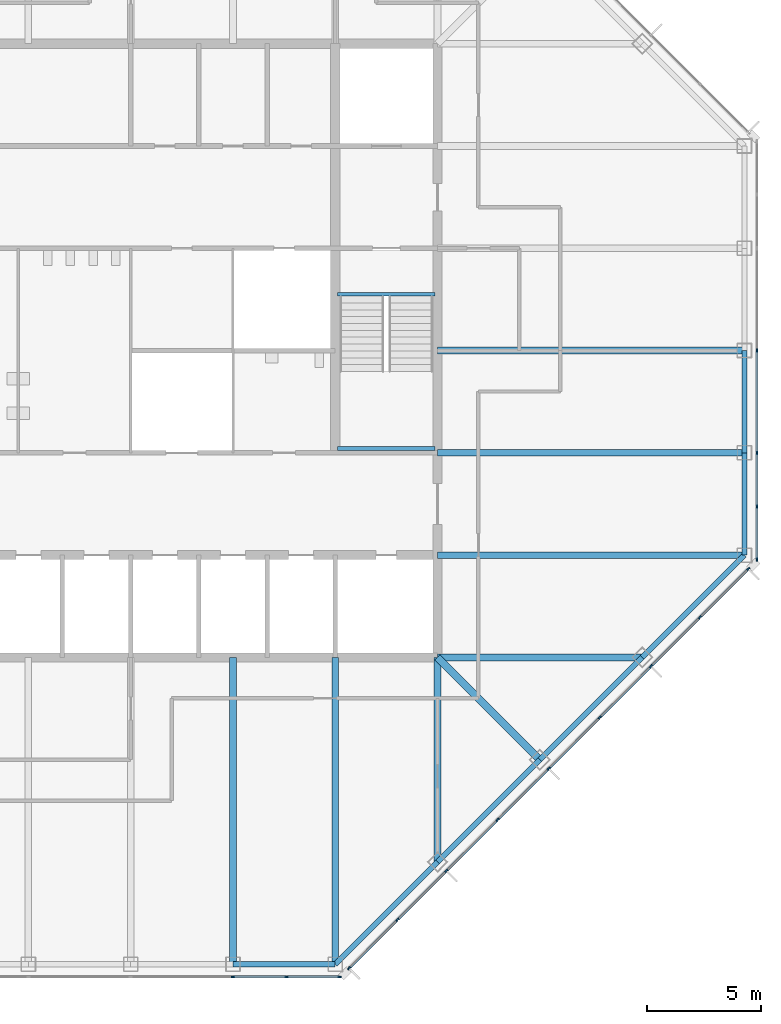
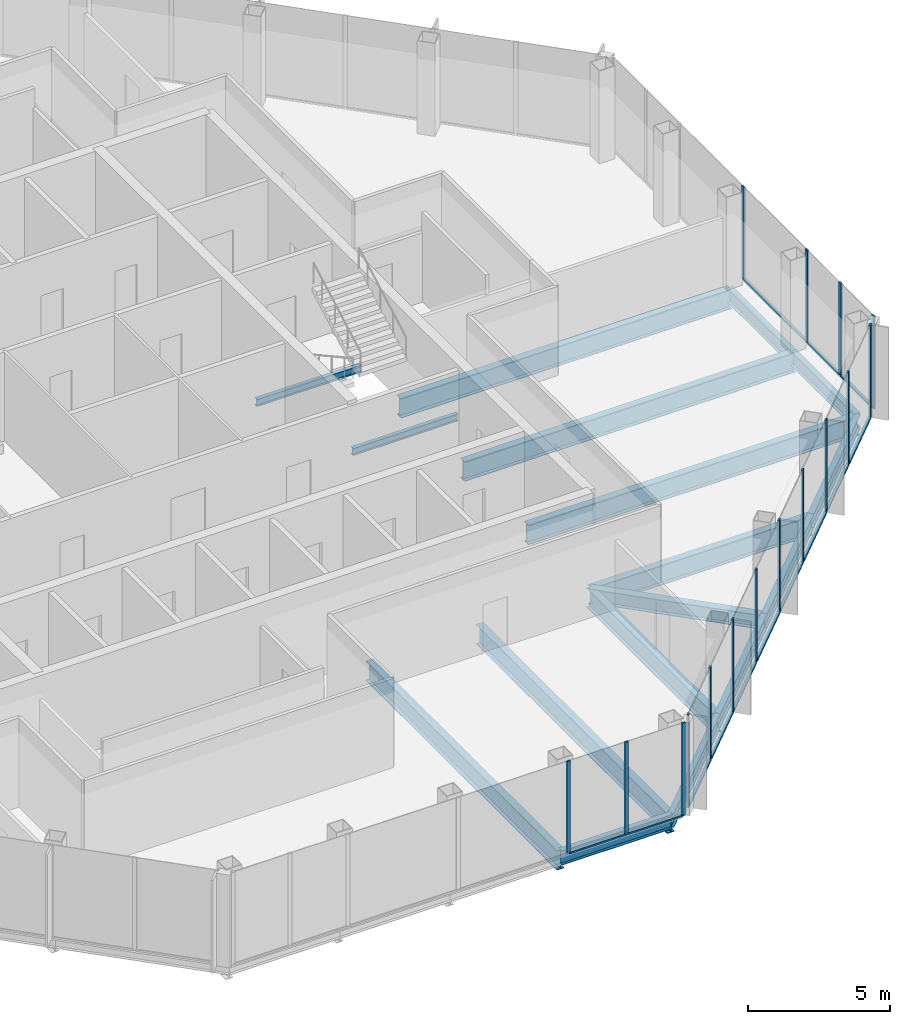
# One storey, part 4 of 13: 29 members, 17 beams, 3 elements without a shape of their own.
"""IFC4 building model written with IfcOpenShell, lengths in metres."""

from ifc_helpers import new_model, si_unit, direction, frame, origin, origin_2d, place, context, subcontext, project, spatial, rectangle, i_section, extrude, material, material_profile, profile_set, type_object, element, aggregate, save


model = new_model("IFC4")

# Units and contexts
model_context = context("Model", 3, precision=1e-05, world=origin(), true_north=direction((0.0, 1.0)))
body_context = subcontext(model_context, "Body", "Model", "MODEL_VIEW")
ifc_project = project(units=[si_unit("LENGTHUNIT", "METRE"), si_unit("AREAUNIT", "SQUARE_METRE"), si_unit("VOLUMEUNIT", "CUBIC_METRE"), si_unit("PLANEANGLEUNIT", "RADIAN"), si_unit("MASSUNIT", "GRAM", prefix="KILO")], contexts=[model_context])

# Site, building, storey
site_placement = place(None, origin())
site = spatial("IfcSite", under=ifc_project, at=site_placement, CompositionType="ELEMENT")
building_placement = place(site_placement, origin())
building = spatial("IfcBuilding", under=site, at=building_placement, Name="Corais Broadcast Tower", CompositionType="ELEMENT")
storey_placement = place(building_placement, frame((0.0, 0.0, 238.60009765625)))
storey = spatial("IfcBuildingStorey", under=building, at=storey_placement, Name="L55", CompositionType="ELEMENT", Elevation=238.60009765625)

# Beams
ifc_material_1 = material(Name="Steel ASTM A572 Grade 50", Category="steel")
ifc_material_profile_1 = material_profile(ifc_material_1, i_section(OverallWidth=0.323974609375, OverallDepth=0.611083984375, WebThickness=0.0126953125, FlangeThickness=0.01904296875, at=origin_2d()), Name="W610x155")
ifc_profile_set_1 = profile_set([ifc_material_profile_1], Name="Steel ASTM A572 Grade 50")
beam_type_1 = type_object("IfcBeamType", Name="Corner diagonal W610x155", PredefinedType="BEAM", material=ifc_profile_set_1)
beam_1_placement = place(storey_placement, frame((45.0, 9.0, -0.465576171875), z_axis=(-0.707106781187, 0.707106781187, 0.0), x_axis=(-0.707106781187, -0.707106781187, 0.0)))
element("IfcBeam", 1, at=beam_1_placement, inside=storey, type_object=beam_type_1, Name="B6 C/13 to D/12", PredefinedType="BEAM", context=body_context, shape_type="SweptSolid", body=[
    extrude(i_section(OverallWidth=0.323974609375, OverallDepth=0.611083984375, WebThickness=0.0126953125, FlangeThickness=0.01904296875, at=origin_2d()), origin(), (0.0, 0.0, 1.0), 6.364013671875),
])
ifc_material_2 = material(Name="Steel ASTM A572 Grade 50", Category="steel")
ifc_material_profile_2 = material_profile(ifc_material_2, i_section(OverallWidth=0.2939453125, OverallDepth=0.85107421875, WebThickness=0.01611328125, FlangeThickness=0.02685546875, at=origin_2d()), Name="W840x226")
ifc_profile_set_2 = profile_set([ifc_material_profile_2], Name="Steel ASTM A572 Grade 50")
beam_type_2 = type_object("IfcBeamType", Name="Floor beam W840x226", PredefinedType="BEAM", material=ifc_profile_set_2)
for number, where, z_axis, x_axis, name in (
    (2, (31.5, 0.0, -0.585693359375), (0.0, 1.0, 0.0), (-1.0, 0.0, 0.0), "B1 A/10 to D/10"),
    (3, (36.0, 0.0, -0.585693359375), (0.0, 1.0, 0.0), (-1.0, 0.0, 0.0), "B1 A/11 to D/11"),
):
    element("IfcBeam", number, at=place(storey_placement, frame(where, z_axis=z_axis, x_axis=x_axis)), inside=storey, type_object=beam_type_2, Name=name, PredefinedType="BEAM", context=body_context, shape_type="SweptSolid", body=[
        extrude(i_section(OverallWidth=0.2939453125, OverallDepth=0.85107421875, WebThickness=0.01611328125, FlangeThickness=0.02685546875, at=origin_2d()), origin(), (0.0, 0.0, 1.0), 13.5),
    ])
for number, where, z_axis, x_axis, name in (
    (4, (40.5, 4.5, -0.585693359375), (0.0, 1.0, 0.0), (-1.0, 0.0, 0.0), "B1 B/12 to D/12"),
    (5, (49.5, 13.5, -0.585693359375), (-1.0, 0.0, 0.0), (0.0, -1.0, 0.0), "B1 D/14 to D/12"),
):
    element("IfcBeam", number, at=place(storey_placement, frame(where, z_axis=z_axis, x_axis=x_axis)), inside=storey, type_object=beam_type_2, Name=name, PredefinedType="BEAM", context=body_context, shape_type="SweptSolid", body=[
        extrude(i_section(OverallWidth=0.2939453125, OverallDepth=0.85107421875, WebThickness=0.01611328125, FlangeThickness=0.02685546875, at=origin_2d()), origin(), (0.0, 0.0, 1.0), 9.0),
    ])
for number, where, z_axis, x_axis, name in (
    (6, (54.0, 18.0, -0.585693359375), (-1.0, 0.0, 0.0), (0.0, -1.0, 0.0), "B1 E/15 to E/12"),
    (7, (54.0, 22.5, -0.585693359375), (-1.0, 0.0, 0.0), (0.0, -1.0, 0.0), "B1 F/15 to F/12"),
    (8, (54.0, 27.0, -0.585693359375), (-1.0, 0.0, 0.0), (0.0, -1.0, 0.0), "B1 G/15 to G/12"),
):
    element("IfcBeam", number, at=place(storey_placement, frame(where, z_axis=z_axis, x_axis=x_axis)), inside=storey, type_object=beam_type_2, Name=name, PredefinedType="BEAM", context=body_context, shape_type="SweptSolid", body=[
        extrude(i_section(OverallWidth=0.2939453125, OverallDepth=0.85107421875, WebThickness=0.01611328125, FlangeThickness=0.02685546875, at=origin_2d()), origin(), (0.0, 0.0, 1.0), 13.5),
    ])
ifc_material_3 = material(Name="Steel ASTM A572 Grade 50", Category="steel")
ifc_material_profile_3 = material_profile(ifc_material_3, i_section(OverallWidth=0.1650390625, OverallDepth=0.31005859375, WebThickness=0.005859375, FlangeThickness=0.009765625, at=origin_2d()), Name="W310x38.7")
ifc_profile_set_3 = profile_set([ifc_material_profile_3], Name="Steel ASTM A572 Grade 50")
beam_type_3 = type_object("IfcBeamType", Name="Landing trimmer W310x38.7", PredefinedType="BEAM", material=ifc_profile_set_3)
for number, where, z_axis, x_axis, name in (
    (9, (36.10009765625, 29.47509765625, -0.35498046875), (1.0, 0.0, 0.0), (0.0, 1.0, 0.0), "LT1 stair B landing trimmer L55"),
    (10, (36.10009765625, 22.68994140625, 1.64501953125), (1.0, 0.0, 0.0), (0.0, 1.0, 0.0), "LT1 stair B half landing trimmer L55"),
):
    element("IfcBeam", number, at=place(storey_placement, frame(where, z_axis=z_axis, x_axis=x_axis)), inside=storey, type_object=beam_type_3, Name=name, PredefinedType="BEAM", context=body_context, shape_type="SweptSolid", body=[
        extrude(i_section(OverallWidth=0.1650390625, OverallDepth=0.31005859375, WebThickness=0.005859375, FlangeThickness=0.009765625, at=origin_2d()), origin(), (0.0, 0.0, 1.0), 4.2998046875),
    ])

# Curtain wall, members
ifc_material_4 = material(Name="Aluminium and glass", Category="aluminium")
curtain_wall_type = type_object("IfcCurtainWallType", Name="Unitised fritted curtain wall CW3", PredefinedType="NOTDEFINED", material=ifc_material_4)
curtain_wall_1_placement = place(storey_placement, origin())
curtain_wall_1 = element("IfcCurtainWall", 11, at=curtain_wall_1_placement, inside=storey, type_object=curtain_wall_type, Name="CW3 curtain wall L55 6", PredefinedType="NOTDEFINED")
ifc_material_5 = material(Name="Aluminium 6063-T6", Category="aluminium")
ifc_material_profile_4 = material_profile(ifc_material_5, rectangle(XDim=0.06494140625, YDim=0.159912109375, at=origin_2d()), Name="Mullion CW3 65x160")
ifc_profile_set_4 = profile_set([ifc_material_profile_4], Name="Aluminium 6063-T6")
member_type_1 = type_object("IfcMemberType", Name="Mullion CW3 65x160", PredefinedType="MULLION", material=ifc_profile_set_4)
member_1_placement = place(storey_placement, frame((54.550048828125, 27.0, 0.0), z_axis=(0.0, 0.0, 1.0), x_axis=(1.0, 0.0, 0.0)))
member_1 = element("IfcMember", 12, at=member_1_placement, type_object=member_type_1, Name="CW3 mullion 4", PredefinedType="MULLION", context=body_context, shape_type="SweptSolid", body=[
    extrude(rectangle(XDim=0.06494140625, YDim=0.159912109375, at=origin_2d()), origin(), (0.0, 0.0, 1.0), 4.0),
])
member_2_placement = place(storey_placement, frame((54.550048828125, 22.5, 0.0), z_axis=(0.0, 0.0, 1.0), x_axis=(1.0, 0.0, 0.0)))
member_2 = element("IfcMember", 13, at=member_2_placement, type_object=member_type_1, Name="CW3 mullion 5", PredefinedType="MULLION", context=body_context, shape_type="SweptSolid", body=[
    extrude(rectangle(XDim=0.06494140625, YDim=0.159912109375, at=origin_2d()), origin(), (0.0, 0.0, 1.0), 4.0),
])
member_3_placement = place(storey_placement, frame((54.550048828125, 20.135986328125, 0.0), z_axis=(0.0, 0.0, 1.0), x_axis=(1.0, 0.0, 0.0)))
member_3 = element("IfcMember", 14, at=member_3_placement, type_object=member_type_1, Name="CW3 mullion 6", PredefinedType="MULLION", context=body_context, shape_type="SweptSolid", body=[
    extrude(rectangle(XDim=0.06494140625, YDim=0.159912109375, at=origin_2d()), origin(), (0.0, 0.0, 1.0), 4.0),
])
member_4_placement = place(storey_placement, frame((54.550048828125, 17.8046875, 0.0), z_axis=(0.0, 0.0, 1.0), x_axis=(1.0, 0.0, 0.0)))
member_4 = element("IfcMember", 15, at=member_4_placement, type_object=member_type_1, Name="CW3 mullion 7", PredefinedType="MULLION", context=body_context, shape_type="SweptSolid", body=[
    extrude(rectangle(XDim=0.06494140625, YDim=0.159912109375, at=origin_2d()), origin(), (0.0, 0.0, 1.0), 4.0),
])

curtain_wall_2_placement = place(storey_placement, origin())
curtain_wall_2 = element("IfcCurtainWall", 16, at=curtain_wall_2_placement, inside=storey, type_object=curtain_wall_type, Name="CW3 curtain wall L55 7", PredefinedType="NOTDEFINED")
member_5_placement = place(storey_placement, frame((54.17333984375, 17.3955078125, 0.0), z_axis=(0.0, 0.0, 1.0), x_axis=(0.707106781187, -0.707106781187, 0.0)))
member_5 = element("IfcMember", 17, at=member_5_placement, type_object=member_type_1, Name="CW3 mullion 1", PredefinedType="MULLION", context=body_context, shape_type="SweptSolid", body=[
    extrude(rectangle(XDim=0.06494140625, YDim=0.159912109375, at=origin_2d()), origin(), (0.0, 0.0, 1.0), 4.0),
])
member_6_placement = place(storey_placement, frame((52.042724609375, 15.264892578125, 0.0), z_axis=(0.0, 0.0, 1.0), x_axis=(0.707106781187, -0.707106781187, 0.0)))
member_6 = element("IfcMember", 18, at=member_6_placement, type_object=member_type_1, Name="CW3 mullion 2", PredefinedType="MULLION", context=body_context, shape_type="SweptSolid", body=[
    extrude(rectangle(XDim=0.06494140625, YDim=0.159912109375, at=origin_2d()), origin(), (0.0, 0.0, 1.0), 4.0),
])
member_7_placement = place(storey_placement, frame((49.888916015625, 13.111083984375, 0.0), z_axis=(0.0, 0.0, 1.0), x_axis=(0.707106781187, -0.707106781187, 0.0)))
member_7 = element("IfcMember", 19, at=member_7_placement, type_object=member_type_1, Name="CW3 mullion 3", PredefinedType="MULLION", context=body_context, shape_type="SweptSolid", body=[
    extrude(rectangle(XDim=0.06494140625, YDim=0.159912109375, at=origin_2d()), origin(), (0.0, 0.0, 1.0), 4.0),
])
member_8_placement = place(storey_placement, frame((47.638916015625, 10.861083984375, 0.0), z_axis=(0.0, 0.0, 1.0), x_axis=(0.707106781187, -0.707106781187, 0.0)))
member_8 = element("IfcMember", 20, at=member_8_placement, type_object=member_type_1, Name="CW3 mullion 4", PredefinedType="MULLION", context=body_context, shape_type="SweptSolid", body=[
    extrude(rectangle(XDim=0.06494140625, YDim=0.159912109375, at=origin_2d()), origin(), (0.0, 0.0, 1.0), 4.0),
])
member_9_placement = place(storey_placement, frame((45.388916015625, 8.611083984375, 0.0), z_axis=(0.0, 0.0, 1.0), x_axis=(0.707106781187, -0.707106781187, 0.0)))
member_9 = element("IfcMember", 21, at=member_9_placement, type_object=member_type_1, Name="CW3 mullion 5", PredefinedType="MULLION", context=body_context, shape_type="SweptSolid", body=[
    extrude(rectangle(XDim=0.06494140625, YDim=0.159912109375, at=origin_2d()), origin(), (0.0, 0.0, 1.0), 4.0),
])
member_10_placement = place(storey_placement, frame((43.138916015625, 6.361083984375, 0.0), z_axis=(0.0, 0.0, 1.0), x_axis=(0.707106781187, -0.707106781187, 0.0)))
member_10 = element("IfcMember", 22, at=member_10_placement, type_object=member_type_1, Name="CW3 mullion 6", PredefinedType="MULLION", context=body_context, shape_type="SweptSolid", body=[
    extrude(rectangle(XDim=0.06494140625, YDim=0.159912109375, at=origin_2d()), origin(), (0.0, 0.0, 1.0), 4.0),
])
member_11_placement = place(storey_placement, frame((40.888916015625, 4.111083984375, 0.0), z_axis=(0.0, 0.0, 1.0), x_axis=(0.707106781187, -0.707106781187, 0.0)))
member_11 = element("IfcMember", 23, at=member_11_placement, type_object=member_type_1, Name="CW3 mullion 7", PredefinedType="MULLION", context=body_context, shape_type="SweptSolid", body=[
    extrude(rectangle(XDim=0.06494140625, YDim=0.159912109375, at=origin_2d()), origin(), (0.0, 0.0, 1.0), 4.0),
])
member_12_placement = place(storey_placement, frame((38.735107421875, 1.957275390625, 0.0), z_axis=(0.0, 0.0, 1.0), x_axis=(0.707106781187, -0.707106781187, 0.0)))
member_12 = element("IfcMember", 24, at=member_12_placement, type_object=member_type_1, Name="CW3 mullion 8", PredefinedType="MULLION", context=body_context, shape_type="SweptSolid", body=[
    extrude(rectangle(XDim=0.06494140625, YDim=0.159912109375, at=origin_2d()), origin(), (0.0, 0.0, 1.0), 4.0),
])
member_13_placement = place(storey_placement, frame((36.6044921875, -0.17333984375, 0.0), z_axis=(0.0, 0.0, 1.0), x_axis=(0.707106781187, -0.707106781187, 0.0)))
member_13 = element("IfcMember", 25, at=member_13_placement, type_object=member_type_1, Name="CW3 mullion 9", PredefinedType="MULLION", context=body_context, shape_type="SweptSolid", body=[
    extrude(rectangle(XDim=0.06494140625, YDim=0.159912109375, at=origin_2d()), origin(), (0.0, 0.0, 1.0), 4.0),
])

curtain_wall_3_placement = place(storey_placement, origin())
curtain_wall_3 = element("IfcCurtainWall", 26, at=curtain_wall_3_placement, inside=storey, type_object=curtain_wall_type, Name="CW3 curtain wall L55 8", PredefinedType="NOTDEFINED")
member_14_placement = place(storey_placement, frame((36.1953125, -0.550048828125, 0.0), z_axis=(0.0, 0.0, 1.0), x_axis=(0.0, -1.0, 0.0)))
member_14 = element("IfcMember", 27, at=member_14_placement, type_object=member_type_1, Name="CW3 mullion 1", PredefinedType="MULLION", context=body_context, shape_type="SweptSolid", body=[
    extrude(rectangle(XDim=0.06494140625, YDim=0.159912109375, at=origin_2d()), origin(), (0.0, 0.0, 1.0), 4.0),
])
member_15_placement = place(storey_placement, frame((33.864013671875, -0.550048828125, 0.0), z_axis=(0.0, 0.0, 1.0), x_axis=(0.0, -1.0, 0.0)))
member_15 = element("IfcMember", 28, at=member_15_placement, type_object=member_type_1, Name="CW3 mullion 2", PredefinedType="MULLION", context=body_context, shape_type="SweptSolid", body=[
    extrude(rectangle(XDim=0.06494140625, YDim=0.159912109375, at=origin_2d()), origin(), (0.0, 0.0, 1.0), 4.0),
])
member_16_placement = place(storey_placement, frame((31.5, -0.550048828125, 0.0), z_axis=(0.0, 0.0, 1.0), x_axis=(0.0, -1.0, 0.0)))
member_16 = element("IfcMember", 29, at=member_16_placement, type_object=member_type_1, Name="CW3 mullion 3", PredefinedType="MULLION", context=body_context, shape_type="SweptSolid", body=[
    extrude(rectangle(XDim=0.06494140625, YDim=0.159912109375, at=origin_2d()), origin(), (0.0, 0.0, 1.0), 4.0),
])

# Beams
ifc_material_6 = material(Name="Steel ASTM A572 Grade 50", Category="steel")
ifc_material_profile_5 = material_profile(ifc_material_6, i_section(OverallWidth=0.22998046875, OverallDepth=0.616943359375, WebThickness=0.01318359375, FlangeThickness=0.022216796875, at=origin_2d()), Name="W610x140")
ifc_profile_set_5 = profile_set([ifc_material_profile_5], Name="Steel ASTM A572 Grade 50")
beam_type_4 = type_object("IfcBeamType", Name="Spandrel W610x140", PredefinedType="BEAM", material=ifc_profile_set_5)
beam_2_placement = place(storey_placement, frame((31.5, 0.0, -0.468505859375), z_axis=(1.0, 0.0, 0.0), x_axis=(0.0, 1.0, 0.0)))
element("IfcBeam", 30, at=beam_2_placement, inside=storey, type_object=beam_type_4, Name="SB3 A/10 to A/11", PredefinedType="BEAM", context=body_context, shape_type="SweptSolid", body=[
    extrude(i_section(OverallWidth=0.22998046875, OverallDepth=0.616943359375, WebThickness=0.01318359375, FlangeThickness=0.022216796875, at=origin_2d()), origin(), (0.0, 0.0, 1.0), 4.5),
])
for number, where, z_axis, x_axis, name in (
    (31, (36.0, 0.0, -0.468505859375), (0.707106781187, 0.707106781187, 0.0), (-0.707106781187, 0.707106781187, 0.0), "SB3 A/11 to B/12"),
    (32, (40.5, 4.5, -0.468505859375), (0.707106781187, 0.707106781187, 0.0), (-0.707106781187, 0.707106781187, 0.0), "SB3 B/12 to C/13"),
    (33, (45.0, 9.0, -0.468505859375), (0.707106781187, 0.707106781187, 0.0), (-0.707106781187, 0.707106781187, 0.0), "SB3 C/13 to D/14"),
    (34, (49.5, 13.5, -0.468505859375), (0.707106781187, 0.707106781187, 0.0), (-0.707106781187, 0.707106781187, 0.0), "SB3 D/14 to E/15"),
):
    element("IfcBeam", number, at=place(storey_placement, frame(where, z_axis=z_axis, x_axis=x_axis)), inside=storey, type_object=beam_type_4, Name=name, PredefinedType="BEAM", context=body_context, shape_type="SweptSolid", body=[
        extrude(i_section(OverallWidth=0.22998046875, OverallDepth=0.616943359375, WebThickness=0.01318359375, FlangeThickness=0.022216796875, at=origin_2d()), origin(), (0.0, 0.0, 1.0), 6.364013671875),
    ])
for number, where, z_axis, x_axis, name in (
    (35, (54.0, 18.0, -0.468505859375), (0.0, 1.0, 0.0), (-1.0, 0.0, 0.0), "SB3 E/15 to F/15"),
    (36, (54.0, 22.5, -0.468505859375), (0.0, 1.0, 0.0), (-1.0, 0.0, 0.0), "SB3 F/15 to G/15"),
):
    element("IfcBeam", number, at=place(storey_placement, frame(where, z_axis=z_axis, x_axis=x_axis)), inside=storey, type_object=beam_type_4, Name=name, PredefinedType="BEAM", context=body_context, shape_type="SweptSolid", body=[
        extrude(i_section(OverallWidth=0.22998046875, OverallDepth=0.616943359375, WebThickness=0.01318359375, FlangeThickness=0.022216796875, at=origin_2d()), origin(), (0.0, 0.0, 1.0), 4.5),
    ])

# Member
ifc_material_7 = material(Name="Aluminium 6063-T6", Category="aluminium")
ifc_material_profile_6 = material_profile(ifc_material_7, rectangle(XDim=0.1201171875, YDim=0.06494140625, at=origin_2d()), Name="Transom CW3 65x120")
ifc_profile_set_6 = profile_set([ifc_material_profile_6], Name="Aluminium 6063-T6")
member_type_2 = type_object("IfcMemberType", Name="Transom CW3 65x120", PredefinedType="USERDEFINED", material=ifc_profile_set_6)
member_17_placement = place(storey_placement, frame((54.550048828125, 26.967529296875, 0.032470703125), z_axis=(0.0, -1.0, 0.0), x_axis=(1.0, 0.0, 0.0)))
member_17 = element("IfcMember", 37, at=member_17_placement, type_object=member_type_2, Name="CW3 transom 4.1", ObjectType="TRANSOM", PredefinedType="USERDEFINED", context=body_context, shape_type="SweptSolid", body=[
    extrude(rectangle(XDim=0.1201171875, YDim=0.06494140625, at=origin_2d()), origin(), (0.0, 0.0, 1.0), 4.43505859375),
])

member_18_placement = place(storey_placement, frame((54.550048828125, 22.467529296875, 0.032470703125), z_axis=(0.0, -1.0, 0.0), x_axis=(1.0, 0.0, 0.0)))
member_18 = element("IfcMember", 38, at=member_18_placement, type_object=member_type_2, Name="CW3 transom 5.1", ObjectType="TRANSOM", PredefinedType="USERDEFINED", context=body_context, shape_type="SweptSolid", body=[
    extrude(rectangle(XDim=0.1201171875, YDim=0.06494140625, at=origin_2d()), origin(), (0.0, 0.0, 1.0), 2.298828125),
])

member_19_placement = place(storey_placement, frame((54.550048828125, 20.103515625, 0.032470703125), z_axis=(0.0, -1.0, 0.0), x_axis=(1.0, 0.0, 0.0)))
member_19 = element("IfcMember", 39, at=member_19_placement, type_object=member_type_2, Name="CW3 transom 6.1", ObjectType="TRANSOM", PredefinedType="USERDEFINED", context=body_context, shape_type="SweptSolid", body=[
    extrude(rectangle(XDim=0.1201171875, YDim=0.06494140625, at=origin_2d()), origin(), (0.0, 0.0, 1.0), 2.266357421875),
])

aggregate(curtain_wall_1, [member_1, member_2, member_3, member_4, member_17, member_18, member_19])

member_20_placement = place(storey_placement, frame((54.150390625, 17.37255859375, 0.032470703125), z_axis=(-0.707106781187, -0.707106781187, 0.0), x_axis=(0.707106781187, -0.707106781187, 0.0)))
member_20 = element("IfcMember", 40, at=member_20_placement, type_object=member_type_2, Name="CW3 transom 1.1", ObjectType="TRANSOM", PredefinedType="USERDEFINED", context=body_context, shape_type="SweptSolid", body=[
    extrude(rectangle(XDim=0.1201171875, YDim=0.06494140625, at=origin_2d()), origin(), (0.0, 0.0, 1.0), 2.9482421875),
])

member_21_placement = place(storey_placement, frame((52.019775390625, 15.241943359375, 0.032470703125), z_axis=(-0.707106781187, -0.707106781187, 0.0), x_axis=(0.707106781187, -0.707106781187, 0.0)))
member_21 = element("IfcMember", 41, at=member_21_placement, type_object=member_type_2, Name="CW3 transom 2.1", ObjectType="TRANSOM", PredefinedType="USERDEFINED", context=body_context, shape_type="SweptSolid", body=[
    extrude(rectangle(XDim=0.1201171875, YDim=0.06494140625, at=origin_2d()), origin(), (0.0, 0.0, 1.0), 2.98095703125),
])

member_22_placement = place(storey_placement, frame((49.865966796875, 13.088134765625, 0.032470703125), z_axis=(-0.707106781187, -0.707106781187, 0.0), x_axis=(0.707106781187, -0.707106781187, 0.0)))
member_22 = element("IfcMember", 42, at=member_22_placement, type_object=member_type_2, Name="CW3 transom 3.1", ObjectType="TRANSOM", PredefinedType="USERDEFINED", context=body_context, shape_type="SweptSolid", body=[
    extrude(rectangle(XDim=0.1201171875, YDim=0.06494140625, at=origin_2d()), origin(), (0.0, 0.0, 1.0), 3.1171875),
])

member_23_placement = place(storey_placement, frame((47.615966796875, 10.838134765625, 0.032470703125), z_axis=(-0.707106781187, -0.707106781187, 0.0), x_axis=(0.707106781187, -0.707106781187, 0.0)))
member_23 = element("IfcMember", 43, at=member_23_placement, type_object=member_type_2, Name="CW3 transom 4.1", ObjectType="TRANSOM", PredefinedType="USERDEFINED", context=body_context, shape_type="SweptSolid", body=[
    extrude(rectangle(XDim=0.1201171875, YDim=0.06494140625, at=origin_2d()), origin(), (0.0, 0.0, 1.0), 3.1171875),
])

member_24_placement = place(storey_placement, frame((45.365966796875, 8.588134765625, 0.032470703125), z_axis=(-0.707106781187, -0.707106781187, 0.0), x_axis=(0.707106781187, -0.707106781187, 0.0)))
member_24 = element("IfcMember", 44, at=member_24_placement, type_object=member_type_2, Name="CW3 transom 5.1", ObjectType="TRANSOM", PredefinedType="USERDEFINED", context=body_context, shape_type="SweptSolid", body=[
    extrude(rectangle(XDim=0.1201171875, YDim=0.06494140625, at=origin_2d()), origin(), (0.0, 0.0, 1.0), 3.1171875),
])

member_25_placement = place(storey_placement, frame((43.115966796875, 6.338134765625, 0.032470703125), z_axis=(-0.707106781187, -0.707106781187, 0.0), x_axis=(0.707106781187, -0.707106781187, 0.0)))
member_25 = element("IfcMember", 45, at=member_25_placement, type_object=member_type_2, Name="CW3 transom 6.1", ObjectType="TRANSOM", PredefinedType="USERDEFINED", context=body_context, shape_type="SweptSolid", body=[
    extrude(rectangle(XDim=0.1201171875, YDim=0.06494140625, at=origin_2d()), origin(), (0.0, 0.0, 1.0), 3.1171875),
])

member_26_placement = place(storey_placement, frame((40.865966796875, 4.088134765625, 0.032470703125), z_axis=(-0.70714773134, -0.707065828661, 0.0), x_axis=(0.707065828661, -0.70714773134, 0.0)))
member_26 = element("IfcMember", 46, at=member_26_placement, type_object=member_type_2, Name="CW3 transom 7.1", ObjectType="TRANSOM", PredefinedType="USERDEFINED", context=body_context, shape_type="SweptSolid", body=[
    extrude(rectangle(XDim=0.1201171875, YDim=0.06494140625, at=origin_2d()), origin(), (0.0, 0.0, 1.0), 2.98095703125),
])

member_27_placement = place(storey_placement, frame((38.712158203125, 1.934326171875, 0.032470703125), z_axis=(-0.707106781187, -0.707106781187, 0.0), x_axis=(0.707106781187, -0.707106781187, 0.0)))
member_27 = element("IfcMember", 47, at=member_27_placement, type_object=member_type_2, Name="CW3 transom 8.1", ObjectType="TRANSOM", PredefinedType="USERDEFINED", context=body_context, shape_type="SweptSolid", body=[
    extrude(rectangle(XDim=0.1201171875, YDim=0.06494140625, at=origin_2d()), origin(), (0.0, 0.0, 1.0), 2.9482421875),
])

aggregate(curtain_wall_2, [member_5, member_6, member_7, member_8, member_9, member_10, member_11, member_12, member_13, member_20, member_21, member_22, member_23, member_24, member_25, member_26, member_27])

member_28_placement = place(storey_placement, frame((36.162841796875, -0.550048828125, 0.032470703125), z_axis=(-1.0, 0.0, 0.0), x_axis=(0.0, -1.0, 0.0)))
member_28 = element("IfcMember", 48, at=member_28_placement, type_object=member_type_2, Name="CW3 transom 1.1", ObjectType="TRANSOM", PredefinedType="USERDEFINED", context=body_context, shape_type="SweptSolid", body=[
    extrude(rectangle(XDim=0.1201171875, YDim=0.06494140625, at=origin_2d()), origin(), (0.0, 0.0, 1.0), 2.266357421875),
])

member_29_placement = place(storey_placement, frame((33.831298828125, -0.550048828125, 0.032470703125), z_axis=(-1.0, 0.0, 0.0), x_axis=(0.0, -1.0, 0.0)))
member_29 = element("IfcMember", 49, at=member_29_placement, type_object=member_type_2, Name="CW3 transom 2.1", ObjectType="TRANSOM", PredefinedType="USERDEFINED", context=body_context, shape_type="SweptSolid", body=[
    extrude(rectangle(XDim=0.1201171875, YDim=0.06494140625, at=origin_2d()), origin(), (0.0, 0.0, 1.0), 2.298828125),
])

aggregate(curtain_wall_3, [member_14, member_15, member_16, member_28, member_29])

save(model, "model.ifc")
